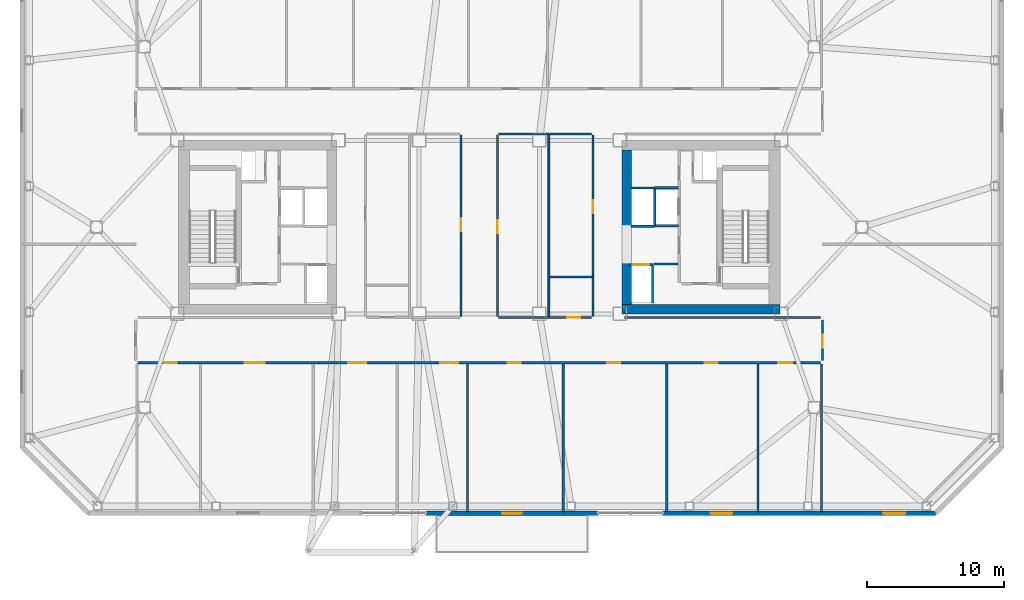
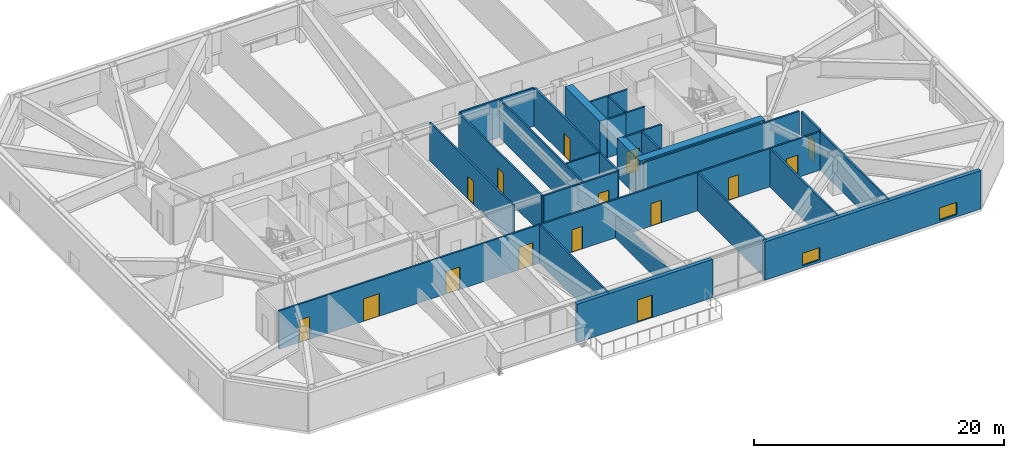
# One storey, part 11 of 18: 28 walls, 15 doors, 2 windows, 17 openings.
"""IFC4 building model written with IfcOpenShell, lengths in metres."""

from ifc_helpers import new_model, si_unit, direction, frame, frame_2d, origin, place, context, subcontext, project, spatial, rectangle, extrude, material, layer, layer_set, type_object, element, fill, save


model = new_model("IFC4")

# Units and contexts
model_context = context("Model", 3, precision=1e-05, world=origin(), true_north=direction((0.0, 1.0)))
body_context = subcontext(model_context, "Body", "Model", "MODEL_VIEW")
ifc_project = project(units=[si_unit("LENGTHUNIT", "METRE"), si_unit("AREAUNIT", "SQUARE_METRE"), si_unit("VOLUMEUNIT", "CUBIC_METRE"), si_unit("PLANEANGLEUNIT", "RADIAN"), si_unit("MASSUNIT", "GRAM", prefix="KILO")], contexts=[model_context])

# Site, building, storey
site_placement = place(None, origin())
site = spatial("IfcSite", under=ifc_project, at=site_placement, CompositionType="ELEMENT")
building_placement = place(site_placement, origin())
building = spatial("IfcBuilding", under=site, at=building_placement, Name="Tavrogorsk Clinical Tower", CompositionType="ELEMENT")
storey_placement = place(building_placement, frame((0.0, 0.0, 152.199951171875)))
storey = spatial("IfcBuildingStorey", under=building, at=storey_placement, Name="L34", CompositionType="ELEMENT", Elevation=152.199951171875)

# Walls
ifc_material_1 = material(Name="Lightweight concrete blockwork B15", Category="masonry")
ifc_layer_1 = layer(ifc_material_1, 0.139892578125)
ifc_layer_set_1 = layer_set([ifc_layer_1], Name="Lightweight concrete blockwork B15")
wall_type_1 = type_object("IfcWallType", Name="PartitionWall_140", PredefinedType="PARTITIONING", material=ifc_layer_set_1)
wall_1_placement = place(storey_placement, frame((5.10009765625, -6.614990234375, 0.0), z_axis=(0.0, 0.0, 1.0), x_axis=(0.0, 1.0, 0.0)))
element("IfcWall", 1, at=wall_1_placement, inside=storey, type_object=wall_type_1, Name="L34 Central Spine Partition 2", PredefinedType="PARTITIONING", context=body_context, shape_type="SweptSolid", body=[
    extrude(rectangle(XDim=13.429931640625, YDim=0.139892578125, at=frame_2d((6.71484375, 0.0))), origin(), (0.0, 0.0, 1.0), 3.739990234375),
])
wall_2_placement = place(storey_placement, frame((5.175048828125, -3.64990234375, 0.0), z_axis=(0.0, 0.0, 1.0), x_axis=(1.0, 0.0, 0.0)))
element("IfcWall", 2, at=wall_2_placement, inside=storey, type_object=wall_type_1, Name="L34 Central Spine Partition 4", PredefinedType="PARTITIONING", context=body_context, shape_type="SweptSolid", body=[
    extrude(rectangle(XDim=3.139892578125, YDim=0.139892578125, at=frame_2d((1.56982421875, 0.0))), origin(), (0.0, 0.0, 1.0), 3.739990234375),
])
ifc_material_2 = material(Name="Lightweight concrete blockwork B15", Category="masonry")
ifc_layer_2 = layer(ifc_material_2, 0.159912109375)
ifc_layer_set_2 = layer_set([ifc_layer_2], Name="Lightweight concrete blockwork B15")
wall_type_2 = type_object("IfcWallType", Name="PartitionWall_160", PredefinedType="PARTITIONING", material=ifc_layer_set_2)
wall_3_placement = place(storey_placement, frame((12.77490234375, -2.699951171875, 0.0), z_axis=(0.0, 0.0, 1.0), x_axis=(1.0, 0.0, 0.0)))
element("IfcWall", 3, at=wall_3_placement, inside=storey, type_object=wall_type_2, Name="L34 Core East Freed Low-Bank North Partition", PredefinedType="PARTITIONING", context=body_context, shape_type="SweptSolid", body=[
    extrude(rectangle(XDim=1.760009765625, YDim=0.159912109375, at=frame_2d((0.8798828125, 0.0))), origin(), (0.0, 0.0, 1.0), 3.739990234375),
])
wall_4_placement = place(storey_placement, frame((10.6298828125, -6.6201171875, 0.0), z_axis=(0.0, 0.0, 1.0), x_axis=(1.0, 0.0, 0.0)))
element("IfcWall", 4, at=wall_4_placement, inside=storey, type_object=wall_type_2, Name="L34 Corridor Partition 08", PredefinedType="PARTITIONING", context=body_context, shape_type="SweptSolid", body=[
    extrude(rectangle(XDim=14.335205078125, YDim=0.159912109375, at=frame_2d((7.16748046875, 0.0))), origin(), (0.0, 0.0, 1.0), 3.739990234375),
])

# Wall, opening, door
wall_5_placement = place(storey_placement, frame((25.1298828125, -6.784912109375, 0.0), z_axis=(0.0, 0.0, 1.0), x_axis=(0.0, -1.0, 0.0)))
wall_5 = element("IfcWall", 5, at=wall_5_placement, inside=storey, type_object=wall_type_2, Name="L34 Corridor Partition 09", PredefinedType="PARTITIONING", context=body_context, shape_type="SweptSolid", body=[
    extrude(rectangle(XDim=2.97998046875, YDim=0.159912109375, at=frame_2d((1.489990234375, 0.0))), origin(), (0.0, 0.0, 1.0), 3.739990234375),
])
opening_1_placement = place(wall_5_placement, frame((1.10009765625, 0.0, 0.0)))
opening_1 = element("IfcOpeningElement", 6, at=opening_1_placement, cuts=wall_5, Name="Opening ID-02", PredefinedType="OPENING", context=body_context, shape_type="SweptSolid", body=[
    extrude(rectangle(XDim=0.949951171875, YDim=2.199951171875, at=frame_2d((0.47509765625, 1.10009765625))), frame((0.0, 0.08984375, 0.0), z_axis=(0.0, -1.0, 0.0), x_axis=(1.0, 0.0, 0.0)), (0.0, 0.0, 1.0), 0.179931640625),
])
ifc_material_3 = material(Name="Laminated timber leaf on aluminium frame", Category="wood")
door_type_1 = type_object("IfcDoorType", Name="InteriorDoor_ID02_950", OperationType="NOTDEFINED", PredefinedType="DOOR", material=ifc_material_3)
door_1_placement = place(opening_1_placement, origin())
door_1 = element("IfcDoor", 7, at=door_1_placement, inside=storey, type_object=door_type_1, Name="L34 E Senior Clinician Suite 1 Door", OperationType="SINGLE_SWING_LEFT", OverallHeight=2.199951171875, OverallWidth=0.949951171875, PredefinedType="DOOR", context=body_context, shape_type="SweptSolid", body=[
    extrude(rectangle(XDim=0.949951171875, YDim=2.199951171875, at=frame_2d((0.47509765625, 1.10009765625))), frame((0.0, 0.02490234375, 0.0), z_axis=(0.0, -1.0, 0.0), x_axis=(1.0, 0.0, 0.0)), (0.0, 0.0, 1.0), 0.050048828125),
])
fill(opening_1, door_1)

# Wall, openings, doors
wall_6_placement = place(storey_placement, frame((24.965087890625, -9.929931640625, 0.0), z_axis=(0.0, 0.0, 1.0), x_axis=(-1.0, 0.0, 0.0)))
wall_6 = element("IfcWall", 8, at=wall_6_placement, inside=storey, type_object=wall_type_2, Name="L34 Corridor Partition 10", PredefinedType="PARTITIONING", context=body_context, shape_type="SweptSolid", body=[
    extrude(rectangle(XDim=49.93017578125, YDim=0.159912109375, at=frame_2d((24.965087890625, 0.0))), origin(), (0.0, 0.0, 1.0), 3.739990234375),
])
opening_2_placement = place(wall_6_placement, frame((47.10595703125, 0.0, 0.0)))
opening_2 = element("IfcOpeningElement", 9, at=opening_2_placement, cuts=wall_6, Name="Opening ID-02", PredefinedType="OPENING", context=body_context, shape_type="SweptSolid", body=[
    extrude(rectangle(XDim=0.949951171875, YDim=2.199951171875, at=frame_2d((0.47509765625, 1.10009765625))), frame((0.0, 0.08984375, 0.0), z_axis=(0.0, -1.0, 0.0), x_axis=(1.0, 0.0, 0.0)), (0.0, 0.0, 1.0), 0.179931640625),
])
opening_3_placement = place(wall_6_placement, frame((40.669921875, 0.0, 0.0)))
opening_3 = element("IfcOpeningElement", 10, at=opening_3_placement, cuts=wall_6, Name="Opening ID-05", PredefinedType="OPENING", context=body_context, shape_type="SweptSolid", body=[
    extrude(rectangle(XDim=1.449951171875, YDim=2.199951171875, at=frame_2d((0.72509765625, 1.10009765625))), frame((0.0, 0.08984375, 0.0), z_axis=(0.0, -1.0, 0.0), x_axis=(1.0, 0.0, 0.0)), (0.0, 0.0, 1.0), 0.179931640625),
])
opening_4_placement = place(wall_6_placement, frame((33.22998046875, 0.0, 0.0)))
opening_4 = element("IfcOpeningElement", 11, at=opening_4_placement, cuts=wall_6, Name="Opening ID-01", PredefinedType="OPENING", context=body_context, shape_type="SweptSolid", body=[
    extrude(rectangle(XDim=1.300048828125, YDim=2.199951171875, at=frame_2d((0.64990234375, 1.10009765625))), frame((0.0, 0.08984375, 0.0), z_axis=(0.0, -1.0, 0.0), x_axis=(1.0, 0.0, 0.0)), (0.0, 0.0, 1.0), 0.179931640625),
])
opening_5_placement = place(wall_6_placement, frame((26.5048828125, 0.0, 0.0)))
opening_5 = element("IfcOpeningElement", 12, at=opening_5_placement, cuts=wall_6, Name="Opening ID-01", PredefinedType="OPENING", context=body_context, shape_type="SweptSolid", body=[
    extrude(rectangle(XDim=1.300048828125, YDim=2.199951171875, at=frame_2d((0.64990234375, 1.10009765625))), frame((0.0, 0.08984375, 0.0), z_axis=(0.0, -1.0, 0.0), x_axis=(1.0, 0.0, 0.0)), (0.0, 0.0, 1.0), 0.179931640625),
])
opening_6_placement = place(wall_6_placement, frame((21.925048828125, 0.0, 0.0)))
opening_6 = element("IfcOpeningElement", 13, at=opening_6_placement, cuts=wall_6, Name="Opening ID-02", PredefinedType="OPENING", context=body_context, shape_type="SweptSolid", body=[
    extrude(rectangle(XDim=0.949951171875, YDim=2.199951171875, at=frame_2d((0.47509765625, 1.10009765625))), frame((0.0, 0.08984375, 0.0), z_axis=(0.0, -1.0, 0.0), x_axis=(1.0, 0.0, 0.0)), (0.0, 0.0, 1.0), 0.179931640625),
])
opening_7_placement = place(wall_6_placement, frame((14.637451171875, 0.0, 0.0)))
opening_7 = element("IfcOpeningElement", 14, at=opening_7_placement, cuts=wall_6, Name="Opening ID-02", PredefinedType="OPENING", context=body_context, shape_type="SweptSolid", body=[
    extrude(rectangle(XDim=0.949951171875, YDim=2.199951171875, at=frame_2d((0.47509765625, 1.10009765625))), frame((0.0, 0.08984375, 0.0), z_axis=(0.0, -1.0, 0.0), x_axis=(1.0, 0.0, 0.0)), (0.0, 0.0, 1.0), 0.179931640625),
])
opening_8_placement = place(wall_6_placement, frame((7.512451171875, 0.0, 0.0)))
opening_8 = element("IfcOpeningElement", 15, at=opening_8_placement, cuts=wall_6, Name="Opening ID-02", PredefinedType="OPENING", context=body_context, shape_type="SweptSolid", body=[
    extrude(rectangle(XDim=0.949951171875, YDim=2.199951171875, at=frame_2d((0.47509765625, 1.10009765625))), frame((0.0, 0.08984375, 0.0), z_axis=(0.0, -1.0, 0.0), x_axis=(1.0, 0.0, 0.0)), (0.0, 0.0, 1.0), 0.179931640625),
])
opening_9_placement = place(wall_6_placement, frame((2.044189453125, 0.0, 0.0)))
opening_9 = element("IfcOpeningElement", 16, at=opening_9_placement, cuts=wall_6, Name="Opening ID-04", PredefinedType="OPENING", context=body_context, shape_type="SweptSolid", body=[
    extrude(rectangle(XDim=1.050048828125, YDim=2.199951171875, at=frame_2d((0.52490234375, 1.10009765625))), frame((0.0, 0.08984375, 0.0), z_axis=(0.0, -1.0, 0.0), x_axis=(1.0, 0.0, 0.0)), (0.0, 0.0, 1.0), 0.179931640625),
])
ifc_material_4 = material(Name="Antibacterial HPL consultation door on aluminium frame", Category="aluminium")
door_type_2 = type_object("IfcDoorType", Name="ConsultDoor_ID04_1050", OperationType="NOTDEFINED", PredefinedType="DOOR", material=ifc_material_4)
door_2_placement = place(opening_9_placement, origin())
door_2 = element("IfcDoor", 17, at=door_2_placement, inside=storey, type_object=door_type_2, Name="L34 South Staff Rest & Nourishment Lounge 06 Door", OperationType="SINGLE_SWING_RIGHT", OverallHeight=2.199951171875, OverallWidth=1.050048828125, PredefinedType="DOOR", context=body_context, shape_type="SweptSolid", body=[
    extrude(rectangle(XDim=1.050048828125, YDim=2.199951171875, at=frame_2d((0.52490234375, 1.10009765625))), frame((0.0, 0.02490234375, 0.0), z_axis=(0.0, -1.0, 0.0), x_axis=(1.0, 0.0, 0.0)), (0.0, 0.0, 1.0), 0.050048828125),
])
fill(opening_9, door_2)
ifc_material_5 = material(Name="Antibacterial HPL bariatric ward double door")
door_type_3 = type_object("IfcDoorType", Name="DoubleWardDoor_ID05_1450", OperationType="DOUBLE_SWING_LEFT", PredefinedType="DOOR", material=ifc_material_5)
door_3_placement = place(opening_3_placement, origin())
door_3 = element("IfcDoor", 18, at=door_3_placement, inside=storey, type_object=door_type_3, Name="L34 South Bariatric Observation Ward 02A Door", OperationType="DOUBLE_SWING_LEFT", OverallHeight=2.199951171875, OverallWidth=1.449951171875, PredefinedType="DOOR", context=body_context, shape_type="SweptSolid", body=[
    extrude(rectangle(XDim=1.449951171875, YDim=2.199951171875, at=frame_2d((0.72509765625, 1.10009765625))), frame((0.0, 0.02490234375, 0.0), z_axis=(0.0, -1.0, 0.0), x_axis=(1.0, 0.0, 0.0)), (0.0, 0.0, 1.0), 0.050048828125),
])
fill(opening_3, door_3)
door_4_placement = place(opening_2_placement, origin())
door_4 = element("IfcDoor", 19, at=door_4_placement, inside=storey, type_object=door_type_1, Name="L34 South Staff Rest & Nourishment Lounge 01 Door", OperationType="SINGLE_SWING_LEFT", OverallHeight=2.199951171875, OverallWidth=0.949951171875, PredefinedType="DOOR", context=body_context, shape_type="SweptSolid", body=[
    extrude(rectangle(XDim=0.949951171875, YDim=2.199951171875, at=frame_2d((0.47509765625, 1.10009765625))), frame((0.0, 0.02490234375, 0.0), z_axis=(0.0, -1.0, 0.0), x_axis=(1.0, 0.0, 0.0)), (0.0, 0.0, 1.0), 0.050048828125),
])
fill(opening_2, door_4)
door_5_placement = place(opening_6_placement, origin())
door_5 = element("IfcDoor", 20, at=door_5_placement, inside=storey, type_object=door_type_1, Name="L34 Terrace Recuperation Day Room & Lounge Door", OperationType="SINGLE_SWING_LEFT", OverallHeight=2.199951171875, OverallWidth=0.949951171875, PredefinedType="DOOR", context=body_context, shape_type="SweptSolid", body=[
    extrude(rectangle(XDim=0.949951171875, YDim=2.199951171875, at=frame_2d((0.47509765625, 1.10009765625))), frame((0.0, 0.02490234375, 0.0), z_axis=(0.0, -1.0, 0.0), x_axis=(1.0, 0.0, 0.0)), (0.0, 0.0, 1.0), 0.050048828125),
])
fill(opening_6, door_5)
door_6_placement = place(opening_7_placement, origin())
door_6 = element("IfcDoor", 21, at=door_6_placement, inside=storey, type_object=door_type_1, Name="L34 South Clinical Case Seminar Room 05A Door", OperationType="SINGLE_SWING_RIGHT", OverallHeight=2.199951171875, OverallWidth=0.949951171875, PredefinedType="DOOR", context=body_context, shape_type="SweptSolid", body=[
    extrude(rectangle(XDim=0.949951171875, YDim=2.199951171875, at=frame_2d((0.47509765625, 1.10009765625))), frame((0.0, 0.02490234375, 0.0), z_axis=(0.0, -1.0, 0.0), x_axis=(1.0, 0.0, 0.0)), (0.0, 0.0, 1.0), 0.050048828125),
])
fill(opening_7, door_6)
door_7_placement = place(opening_8_placement, origin())
door_7 = element("IfcDoor", 22, at=door_7_placement, inside=storey, type_object=door_type_1, Name="L34 South Cardiology Diagnostics Room 05B Door", OperationType="SINGLE_SWING_LEFT", OverallHeight=2.199951171875, OverallWidth=0.949951171875, PredefinedType="DOOR", context=body_context, shape_type="SweptSolid", body=[
    extrude(rectangle(XDim=0.949951171875, YDim=2.199951171875, at=frame_2d((0.47509765625, 1.10009765625))), frame((0.0, 0.02490234375, 0.0), z_axis=(0.0, -1.0, 0.0), x_axis=(1.0, 0.0, 0.0)), (0.0, 0.0, 1.0), 0.050048828125),
])
fill(opening_8, door_7)
ifc_material_6 = material(Name="Antibacterial HPL medical leaf on aluminium frame", Category="aluminium")
door_type_4 = type_object("IfcDoorType", Name="WardBedDoor_ID01_1300", OperationType="NOTDEFINED", PredefinedType="DOOR", material=ifc_material_6)
door_8_placement = place(opening_4_placement, origin())
door_8 = element("IfcDoor", 23, at=door_8_placement, inside=storey, type_object=door_type_4, Name="L34 South Acute Medical Ward 02B Door", OperationType="SINGLE_SWING_LEFT", OverallHeight=2.199951171875, OverallWidth=1.300048828125, PredefinedType="DOOR", context=body_context, shape_type="SweptSolid", body=[
    extrude(rectangle(XDim=1.300048828125, YDim=2.199951171875, at=frame_2d((0.64990234375, 1.10009765625))), frame((0.0, 0.02490234375, 0.0), z_axis=(0.0, -1.0, 0.0), x_axis=(1.0, 0.0, 0.0)), (0.0, 0.0, 1.0), 0.050048828125),
])
fill(opening_4, door_8)
door_9_placement = place(opening_5_placement, origin())
door_9 = element("IfcDoor", 24, at=door_9_placement, inside=storey, type_object=door_type_4, Name="L34 South Surgical Step-Down Ward 03 Door", OperationType="SINGLE_SWING_RIGHT", OverallHeight=2.199951171875, OverallWidth=1.300048828125, PredefinedType="DOOR", context=body_context, shape_type="SweptSolid", body=[
    extrude(rectangle(XDim=1.300048828125, YDim=2.199951171875, at=frame_2d((0.64990234375, 1.10009765625))), frame((0.0, 0.02490234375, 0.0), z_axis=(0.0, -1.0, 0.0), x_axis=(1.0, 0.0, 0.0)), (0.0, 0.0, 1.0), 0.050048828125),
])
fill(opening_5, door_9)

# Wall
wall_7_placement = place(storey_placement, frame((8.235107421875, 6.820068359375, 0.0), z_axis=(0.0, 0.0, 1.0), x_axis=(-1.0, 0.0, 0.0)))
element("IfcWall", 25, at=wall_7_placement, inside=storey, type_object=wall_type_2, Name="L34 Corridor Partition 11", PredefinedType="PARTITIONING", context=body_context, shape_type="SweptSolid", body=[
    extrude(rectangle(XDim=6.820068359375, YDim=0.159912109375, at=frame_2d((3.41015625, 0.0))), origin(), (0.0, 0.0, 1.0), 3.739990234375),
])

# Wall, opening, door
wall_8_placement = place(storey_placement, frame((1.330078125, 6.735107421875, 0.0), z_axis=(0.0, 0.0, 1.0), x_axis=(0.0, -1.0, 0.0)))
wall_8 = element("IfcWall", 26, at=wall_8_placement, inside=storey, type_object=wall_type_2, Name="L34 Corridor Partition 12", PredefinedType="PARTITIONING", context=body_context, shape_type="SweptSolid", body=[
    extrude(rectangle(XDim=13.27001953125, YDim=0.159912109375, at=frame_2d((6.635009765625, 0.0))), origin(), (0.0, 0.0, 1.0), 3.739990234375),
])
opening_10_placement = place(wall_8_placement, frame((6.2451171875, 0.0, 0.0)))
opening_10 = element("IfcOpeningElement", 27, at=opening_10_placement, cuts=wall_8, Name="Opening ID-02", PredefinedType="OPENING", context=body_context, shape_type="SweptSolid", body=[
    extrude(rectangle(XDim=0.949951171875, YDim=2.199951171875, at=frame_2d((0.47509765625, 1.10009765625))), frame((0.0, 0.08984375, 0.0), z_axis=(0.0, -1.0, 0.0), x_axis=(1.0, 0.0, 0.0)), (0.0, 0.0, 1.0), 0.179931640625),
])
door_10_placement = place(opening_10_placement, origin())
door_10 = element("IfcDoor", 28, at=door_10_placement, inside=storey, type_object=door_type_1, Name="L34 Clean Medication Preparation Room Door", OperationType="SINGLE_SWING_RIGHT", OverallHeight=2.199951171875, OverallWidth=0.949951171875, PredefinedType="DOOR", context=body_context, shape_type="SweptSolid", body=[
    extrude(rectangle(XDim=0.949951171875, YDim=2.199951171875, at=frame_2d((0.47509765625, 1.10009765625))), frame((0.0, 0.02490234375, 0.0), z_axis=(0.0, -1.0, 0.0), x_axis=(1.0, 0.0, 0.0)), (0.0, 0.0, 1.0), 0.050048828125),
])
fill(opening_10, door_10)

wall_9_placement = place(storey_placement, frame((1.4150390625, -6.6201171875, 0.0), z_axis=(0.0, 0.0, 1.0), x_axis=(1.0, 0.0, 0.0)))
wall_9 = element("IfcWall", 29, at=wall_9_placement, inside=storey, type_object=wall_type_2, Name="L34 Corridor Partition 13", PredefinedType="PARTITIONING", context=body_context, shape_type="SweptSolid", body=[
    extrude(rectangle(XDim=6.820068359375, YDim=0.159912109375, at=frame_2d((3.41015625, 0.0))), origin(), (0.0, 0.0, 1.0), 3.739990234375),
])
opening_11_placement = place(wall_9_placement, frame((5.010986328125, 0.0, 0.0)))
opening_11 = element("IfcOpeningElement", 30, at=opening_11_placement, cuts=wall_9, Name="Opening ID-02", PredefinedType="OPENING", context=body_context, shape_type="SweptSolid", body=[
    extrude(rectangle(XDim=0.949951171875, YDim=2.199951171875, at=frame_2d((0.47509765625, 1.10009765625))), frame((0.0, 0.08984375, 0.0), z_axis=(0.0, -1.0, 0.0), x_axis=(1.0, 0.0, 0.0)), (0.0, 0.0, 1.0), 0.179931640625),
])
door_11_placement = place(opening_11_placement, origin())
door_11 = element("IfcDoor", 31, at=door_11_placement, inside=storey, type_object=door_type_1, Name="L34 Staff & Visitor Accessible WC Door", OperationType="SINGLE_SWING_LEFT", OverallHeight=2.199951171875, OverallWidth=0.949951171875, PredefinedType="DOOR", context=body_context, shape_type="SweptSolid", body=[
    extrude(rectangle(XDim=0.949951171875, YDim=2.199951171875, at=frame_2d((0.47509765625, 1.10009765625))), frame((0.0, 0.02490234375, 0.0), z_axis=(0.0, -1.0, 0.0), x_axis=(1.0, 0.0, 0.0)), (0.0, 0.0, 1.0), 0.050048828125),
])
fill(opening_11, door_11)

wall_10_placement = place(storey_placement, frame((8.320068359375, -6.534912109375, 0.0), z_axis=(0.0, 0.0, 1.0), x_axis=(0.0, 1.0, 0.0)))
wall_10 = element("IfcWall", 32, at=wall_10_placement, inside=storey, type_object=wall_type_2, Name="L34 Corridor Partition 14", PredefinedType="PARTITIONING", context=body_context, shape_type="SweptSolid", body=[
    extrude(rectangle(XDim=13.27001953125, YDim=0.159912109375, at=frame_2d((6.635009765625, 0.0))), origin(), (0.0, 0.0, 1.0), 3.739990234375),
])
opening_12_placement = place(wall_10_placement, frame((7.535888671875, 0.0, 0.0)))
opening_12 = element("IfcOpeningElement", 33, at=opening_12_placement, cuts=wall_10, Name="Opening ID-02", PredefinedType="OPENING", context=body_context, shape_type="SweptSolid", body=[
    extrude(rectangle(XDim=0.949951171875, YDim=2.199951171875, at=frame_2d((0.47509765625, 1.10009765625))), frame((0.0, 0.08984375, 0.0), z_axis=(0.0, -1.0, 0.0), x_axis=(1.0, 0.0, 0.0)), (0.0, 0.0, 1.0), 0.179931640625),
])
door_12_placement = place(opening_12_placement, origin())
door_12 = element("IfcDoor", 34, at=door_12_placement, inside=storey, type_object=door_type_1, Name="L34 Resident Clinician Study Door", OperationType="SINGLE_SWING_RIGHT", OverallHeight=2.199951171875, OverallWidth=0.949951171875, PredefinedType="DOOR", context=body_context, shape_type="SweptSolid", body=[
    extrude(rectangle(XDim=0.949951171875, YDim=2.199951171875, at=frame_2d((0.47509765625, 1.10009765625))), frame((0.0, 0.02490234375, 0.0), z_axis=(0.0, -1.0, 0.0), x_axis=(1.0, 0.0, 0.0)), (0.0, 0.0, 1.0), 0.050048828125),
])
fill(opening_12, door_12)

wall_11_placement = place(storey_placement, frame((-1.330078125, -6.534912109375, 0.0), z_axis=(0.0, 0.0, 1.0), x_axis=(0.0, 1.0, 0.0)))
wall_11 = element("IfcWall", 35, at=wall_11_placement, inside=storey, type_object=wall_type_2, Name="L34 Corridor Partition 15", PredefinedType="PARTITIONING", context=body_context, shape_type="SweptSolid", body=[
    extrude(rectangle(XDim=13.27001953125, YDim=0.159912109375, at=frame_2d((6.635009765625, 0.0))), origin(), (0.0, 0.0, 1.0), 3.739990234375),
])
opening_13_placement = place(wall_11_placement, frame((6.2451171875, 0.0, 0.0)))
opening_13 = element("IfcOpeningElement", 36, at=opening_13_placement, cuts=wall_11, Name="Opening ID-02", PredefinedType="OPENING", context=body_context, shape_type="SweptSolid", body=[
    extrude(rectangle(XDim=0.949951171875, YDim=2.199951171875, at=frame_2d((0.47509765625, 1.10009765625))), frame((0.0, 0.08984375, 0.0), z_axis=(0.0, -1.0, 0.0), x_axis=(1.0, 0.0, 0.0)), (0.0, 0.0, 1.0), 0.179931640625),
])
door_13_placement = place(opening_13_placement, origin())
door_13 = element("IfcDoor", 37, at=door_13_placement, inside=storey, type_object=door_type_1, Name="L34 Nurses' Station & Telemetry Hub Door", OperationType="SINGLE_SWING_LEFT", OverallHeight=2.199951171875, OverallWidth=0.949951171875, PredefinedType="DOOR", context=body_context, shape_type="SweptSolid", body=[
    extrude(rectangle(XDim=0.949951171875, YDim=2.199951171875, at=frame_2d((0.47509765625, 1.10009765625))), frame((0.0, 0.02490234375, 0.0), z_axis=(0.0, -1.0, 0.0), x_axis=(1.0, 0.0, 0.0)), (0.0, 0.0, 1.0), 0.050048828125),
])
fill(opening_13, door_13)

# Walls
for number, where, z_axis, x_axis, name in (
    (38, (25.050048828125, -20.860107421875, 0.0), (0.0, 0.0, 1.0), (0.0, 1.0, 0.0), "L34 SE Wing Closure Partition"),
    (39, (-0.85009765625, -20.860107421875, 0.0), (0.0, 0.0, 1.0), (0.0, 1.0, 0.0), "L34 South Room Partition 3"),
):
    element("IfcWall", number, at=place(storey_placement, frame(where, z_axis=z_axis, x_axis=x_axis)), inside=storey, type_object=wall_type_2, Name=name, PredefinedType="PARTITIONING", context=body_context, shape_type="SweptSolid", body=[
        extrude(rectangle(XDim=10.84521484375, YDim=0.159912109375, at=frame_2d((5.422607421875, 0.0))), origin(), (0.0, 0.0, 1.0), 3.739990234375),
    ])
wall_12_placement = place(storey_placement, frame((6.14990234375, -20.860107421875, 0.0), z_axis=(0.0, 0.0, 1.0), x_axis=(0.0, 1.0, 0.0)))
element("IfcWall", 40, at=wall_12_placement, inside=storey, type_object=wall_type_2, Name="L34 South Room Partition 4", PredefinedType="PARTITIONING", context=body_context, shape_type="SweptSolid", body=[
    extrude(rectangle(XDim=10.84521484375, YDim=0.159912109375, at=frame_2d((5.422607421875, 0.0))), origin(), (0.0, 0.0, 1.0), 2.135009765625),
])
for number, where, z_axis, x_axis, name in (
    (41, (20.39990234375, -20.860107421875, 0.0), (0.0, 0.0, 1.0), (0.0, 1.0, 0.0), "L34 South Room Partition 5"),
    (42, (13.72509765625, -20.860107421875, 0.0), (0.0, 0.0, 1.0), (0.0, 1.0, 0.0), "L34 South Sub-Partition 5"),
):
    element("IfcWall", number, at=place(storey_placement, frame(where, z_axis=z_axis, x_axis=x_axis)), inside=storey, type_object=wall_type_2, Name=name, PredefinedType="PARTITIONING", context=body_context, shape_type="SweptSolid", body=[
        extrude(rectangle(XDim=10.84521484375, YDim=0.159912109375, at=frame_2d((5.422607421875, 0.0))), origin(), (0.0, 0.0, 1.0), 3.739990234375),
    ])

# Wall, opening, door
ifc_material_7 = material(Name="Precast concrete B45 with limestone cladding", Category="masonry")
ifc_layer_3 = layer(ifc_material_7, 0.340087890625)
ifc_layer_set_3 = layer_set([ifc_layer_3], Name="Precast concrete B45 with limestone cladding")
wall_type_3 = type_object("IfcWallType", Name="PrecastLimestoneWall_340", PredefinedType="STANDARD", material=ifc_layer_set_3)
wall_13_placement = place(storey_placement, frame((-3.86279296875, -20.929931640625, 0.0), z_axis=(0.0, 0.0, 1.0), x_axis=(1.0, 0.0, 0.0)))
wall_13 = element("IfcWall", 43, at=wall_13_placement, inside=storey, type_object=wall_type_3, Name="L34 S Limestone Facade Wall 2", PredefinedType="STANDARD", context=body_context, shape_type="SweptSolid", body=[
    extrude(rectangle(XDim=12.525634765625, YDim=0.340087890625, at=frame_2d((6.2626953125, 0.0))), origin(), (0.0, 0.0, 1.0), 3.739990234375),
])
opening_14_placement = place(wall_13_placement, frame((5.56298828125, 0.0, 0.0)))
opening_14 = element("IfcOpeningElement", 44, at=opening_14_placement, cuts=wall_13, Name="Opening ED-03", PredefinedType="OPENING", context=body_context, shape_type="SweptSolid", body=[
    extrude(rectangle(XDim=1.39990234375, YDim=2.199951171875, at=frame_2d((0.699951171875, 1.10009765625))), frame((0.0, 0.179931640625, 0.0), z_axis=(0.0, -1.0, 0.0), x_axis=(1.0, 0.0, 0.0)), (0.0, 0.0, 1.0), 0.360107421875),
])
ifc_material_8 = material(Name="Thermally broken aluminium and laminated safety glass", Category="aluminium")
door_type_5 = type_object("IfcDoorType", Name="TerraceGlassDoor_ED03_1400", OperationType="DOUBLE_SWING_LEFT", PredefinedType="DOOR", material=ifc_material_8)
door_14_placement = place(opening_14_placement, origin())
door_14 = element("IfcDoor", 45, at=door_14_placement, inside=storey, type_object=door_type_5, Name="L34 Spiralling Recuperation Terrace Door ED-03", OperationType="DOUBLE_SWING_LEFT", OverallHeight=2.199951171875, OverallWidth=1.39990234375, PredefinedType="DOOR", context=body_context, shape_type="SweptSolid", body=[
    extrude(rectangle(XDim=1.39990234375, YDim=2.199951171875, at=frame_2d((0.699951171875, 1.10009765625))), frame((0.0, 0.02490234375, 0.0), z_axis=(0.0, -1.0, 0.0), x_axis=(1.0, 0.0, 0.0)), (0.0, 0.0, 1.0), 0.050048828125),
])
fill(opening_14, door_14)

# Wall, openings, windows
wall_14_placement = place(storey_placement, frame((13.462890625, -20.929931640625, 0.0), z_axis=(0.0, 0.0, 1.0), x_axis=(1.0, 0.0, 0.0)))
wall_14 = element("IfcWall", 46, at=wall_14_placement, inside=storey, type_object=wall_type_3, Name="L34 S Limestone Facade Wall 3", PredefinedType="STANDARD", context=body_context, shape_type="SweptSolid", body=[
    extrude(rectangle(XDim=19.93701171875, YDim=0.340087890625, at=frame_2d((9.968505859375, 0.0))), origin(), (0.0, 0.0, 1.0), 3.739990234375),
])
opening_15_placement = place(wall_14_placement, frame((3.470458984375, 0.0, 0.219970703125)))
opening_15 = element("IfcOpeningElement", 47, at=opening_15_placement, cuts=wall_14, Name="Opening WN-09", PredefinedType="OPENING", context=body_context, shape_type="SweptSolid", body=[
    extrude(rectangle(XDim=1.60009765625, YDim=1.199951171875, at=frame_2d((0.800048828125, 0.60009765625))), frame((0.0, 0.179931640625, 0.0), z_axis=(0.0, -1.0, 0.0), x_axis=(1.0, 0.0, 0.0)), (0.0, 0.0, 1.0), 0.360107421875),
])
opening_16_placement = place(wall_14_placement, frame((16.1181640625, 0.0, 0.219970703125)))
opening_16 = element("IfcOpeningElement", 48, at=opening_16_placement, cuts=wall_14, Name="Opening WN-09", PredefinedType="OPENING", context=body_context, shape_type="SweptSolid", body=[
    extrude(rectangle(XDim=1.60009765625, YDim=1.199951171875, at=frame_2d((0.800048828125, 0.60009765625))), frame((0.0, 0.179931640625, 0.0), z_axis=(0.0, -1.0, 0.0), x_axis=(1.0, 0.0, 0.0)), (0.0, 0.0, 1.0), 0.360107421875),
])
ifc_material_9 = material(Name="Thermally broken aluminium frame and triple IGU", Category="aluminium")
window_type = type_object("IfcWindowType", Name="LowHeadTransWin_1600x1200", PartitioningType="DOUBLE_PANEL_VERTICAL", PredefinedType="WINDOW", material=ifc_material_9)
window_1_placement = place(opening_15_placement, origin())
window_1 = element("IfcWindow", 49, at=window_1_placement, inside=storey, type_object=window_type, Name="L34 S Chicago Window 07", OverallHeight=1.199951171875, OverallWidth=1.60009765625, PartitioningType="SINGLE_PANEL", PredefinedType="WINDOW", context=body_context, shape_type="SweptSolid", body=[
    extrude(rectangle(XDim=1.60009765625, YDim=1.199951171875, at=frame_2d((0.800048828125, 0.60009765625))), frame((0.0, 0.030029296875, 0.0), z_axis=(0.0, -1.0, 0.0), x_axis=(1.0, 0.0, 0.0)), (0.0, 0.0, 1.0), 0.06005859375),
])
fill(opening_15, window_1)
window_2_placement = place(opening_16_placement, origin())
window_2 = element("IfcWindow", 50, at=window_2_placement, inside=storey, type_object=window_type, Name="L34 S Chicago Window 10", OverallHeight=1.199951171875, OverallWidth=1.60009765625, PartitioningType="SINGLE_PANEL", PredefinedType="WINDOW", context=body_context, shape_type="SweptSolid", body=[
    extrude(rectangle(XDim=1.60009765625, YDim=1.199951171875, at=frame_2d((0.800048828125, 0.60009765625))), frame((0.0, 0.030029296875, 0.0), z_axis=(0.0, -1.0, 0.0), x_axis=(1.0, 0.0, 0.0)), (0.0, 0.0, 1.0), 0.06005859375),
])
fill(opening_16, window_2)

# Walls
ifc_material_10 = material(Name="Lightweight concrete blockwork B25", Category="masonry")
ifc_layer_4 = layer(ifc_material_10, 0.159912109375)
ifc_layer_set_4 = layer_set([ifc_layer_4], Name="Lightweight concrete blockwork B25")
wall_type_4 = type_object("IfcWallType", Name="ShaftWall_160", PredefinedType="PARTITIONING", material=ifc_layer_set_4)
for number, where, z_axis, x_axis, name in (
    (51, (12.840087890625, 0.10009765625, 0.0), (0.0, 0.0, 1.0), (1.0, 0.0, 0.0), "L34 FFL-E Shaft South Wall"),
    (52, (12.840087890625, 2.8798828125, 0.0), (0.0, 0.0, 1.0), (1.0, 0.0, 0.0), "L34 FFL-E Shaft North Wall"),
):
    element("IfcWall", number, at=place(storey_placement, frame(where, z_axis=z_axis, x_axis=x_axis)), inside=storey, type_object=wall_type_4, Name=name, PredefinedType="PARTITIONING", context=body_context, shape_type="SweptSolid", body=[
        extrude(rectangle(XDim=1.760009765625, YDim=0.159912109375, at=frame_2d((0.8798828125, 0.0))), origin(), (0.0, 0.0, 1.0), 3.739990234375),
    ])
wall_15_placement = place(storey_placement, frame((12.840087890625, 0.179931640625, 0.0), z_axis=(0.0, 0.0, 1.0), x_axis=(0.0, 1.0, 0.0)))
element("IfcWall", 53, at=wall_15_placement, inside=storey, type_object=wall_type_4, Name="L34 FFL-E Shaft Back Wall", PredefinedType="PARTITIONING", context=body_context, shape_type="SweptSolid", body=[
    extrude(rectangle(XDim=2.6201171875, YDim=0.159912109375, at=frame_2d((1.31005859375, 0.0))), origin(), (0.0, 0.0, 1.0), 3.739990234375),
])

# Wall, opening, door
wall_16_placement = place(storey_placement, frame((10.969970703125, -2.75, 0.0), z_axis=(0.0, 0.0, 1.0), x_axis=(1.0, 0.0, 0.0)))
wall_16 = element("IfcWall", 54, at=wall_16_placement, inside=storey, type_object=wall_type_4, Name="L34 LP-M2 Lift Shaft Portal Wall", PredefinedType="PARTITIONING", context=body_context, shape_type="SweptSolid", body=[
    extrude(rectangle(XDim=1.760009765625, YDim=0.159912109375, at=frame_2d((0.8798828125, 0.0))), origin(), (0.0, 0.0, 1.0), 3.739990234375),
])
opening_17_placement = place(wall_16_placement, frame((0.280029296875, 0.0, 0.0)))
opening_17 = element("IfcOpeningElement", 55, at=opening_17_placement, cuts=wall_16, Name="Opening LD", PredefinedType="OPENING", context=body_context, shape_type="SweptSolid", body=[
    extrude(rectangle(XDim=1.199951171875, YDim=2.199951171875, at=frame_2d((0.60009765625, 1.10009765625))), frame((0.0, 0.08984375, 0.0), z_axis=(0.0, -1.0, 0.0), x_axis=(1.0, 0.0, 0.0)), (0.0, 0.0, 1.0), 0.179931640625),
])
ifc_material_11 = material(Name="Brushed stainless steel AISI 304 sliding doors", Category="steel")
door_type_6 = type_object("IfcDoorType", Name="LiftLandingDoor_LD_1200", OperationType="SLIDING_TO_LEFT", PredefinedType="DOOR", material=ifc_material_11)
door_15_placement = place(opening_17_placement, origin())
door_15 = element("IfcDoor", 56, at=door_15_placement, inside=storey, type_object=door_type_6, Name="L34 LP-M2 Sliding Lift Landing Door", OperationType="SLIDING_TO_LEFT", OverallHeight=2.199951171875, OverallWidth=1.199951171875, PredefinedType="DOOR", context=body_context, shape_type="SweptSolid", body=[
    extrude(rectangle(XDim=1.199951171875, YDim=2.199951171875, at=frame_2d((0.60009765625, 1.10009765625))), frame((0.0, 0.02490234375, 0.0), z_axis=(0.0, -1.0, 0.0), x_axis=(1.0, 0.0, 0.0)), (0.0, 0.0, 1.0), 0.050048828125),
])
fill(opening_17, door_15)

# Walls
for number, where, z_axis, x_axis, name in (
    (57, (11.10009765625, 0.06005859375, 0.0), (0.0, 0.0, 1.0), (1.0, 0.0, 0.0), "L34 LP-H2 High-Zone Lift Portal Wall"),
    (58, (11.10009765625, 2.860107421875, 0.0), (0.0, 0.0, 1.0), (1.0, 0.0, 0.0), "L34 LP-H2 High-Zone Lift Rear Wall"),
):
    element("IfcWall", number, at=place(storey_placement, frame(where, z_axis=z_axis, x_axis=x_axis)), inside=storey, type_object=wall_type_4, Name=name, PredefinedType="PARTITIONING", context=body_context, shape_type="SweptSolid", body=[
        extrude(rectangle(XDim=1.719970703125, YDim=0.159912109375, at=frame_2d((0.85986328125, 0.0))), origin(), (0.0, 0.0, 1.0), 3.739990234375),
    ])
wall_17_placement = place(storey_placement, frame((12.68994140625, -5.56005859375, 0.0), z_axis=(0.0, 0.0, 1.0), x_axis=(0.0, 1.0, 0.0)))
element("IfcWall", 59, at=wall_17_placement, inside=storey, type_object=wall_type_4, Name="L34 Core East Freed Low-Bank Shaft Divider", PredefinedType="PARTITIONING", context=body_context, shape_type="SweptSolid", body=[
    extrude(rectangle(XDim=2.775146484375, YDim=0.159912109375, at=frame_2d((1.3876953125, 0.0))), origin(), (0.0, 0.0, 1.0), 3.739990234375),
])
ifc_material_12 = material(Name="Concrete B80", Category="concrete")
ifc_layer_5 = layer(ifc_material_12, 0.699951171875)
ifc_layer_set_5 = layer_set([ifc_layer_5], Name="Concrete B80")
wall_type_5 = type_object("IfcWallType", Name="ShearWall_700", PredefinedType="SHEAR", material=ifc_layer_set_5)
wall_18_placement = place(storey_placement, frame((10.449951171875, -6.0, 0.0), z_axis=(0.0, 0.0, 1.0), x_axis=(1.0, 0.0, 0.0)))
element("IfcWall", 60, at=wall_18_placement, inside=storey, type_object=wall_type_5, Name="L34 Core East South Shear Wall", PredefinedType="SHEAR", context=body_context, shape_type="SweptSolid", body=[
    extrude(rectangle(XDim=11.550048828125, YDim=0.699951171875, at=frame_2d((5.77490234375, 0.0))), origin(), (0.0, 0.0, 1.0), 3.739990234375),
])
wall_19_placement = place(storey_placement, frame((10.800048828125, -5.64990234375, 0.0), z_axis=(0.0, 0.0, 1.0), x_axis=(0.0, 1.0, 0.0)))
element("IfcWall", 61, at=wall_19_placement, inside=storey, type_object=wall_type_5, Name="L34 Core East Inner South Pier", PredefinedType="SHEAR", context=body_context, shape_type="SweptSolid", body=[
    extrude(rectangle(XDim=3.0, YDim=0.699951171875, at=frame_2d((1.5, 0.0))), origin(), (0.0, 0.0, 1.0), 3.739990234375),
])
wall_20_placement = place(storey_placement, frame((10.800048828125, 0.050048828125, 0.0), z_axis=(0.0, 0.0, 1.0), x_axis=(0.0, 1.0, 0.0)))
element("IfcWall", 62, at=wall_20_placement, inside=storey, type_object=wall_type_5, Name="L34 Core East Inner North Pier", PredefinedType="SHEAR", context=body_context, shape_type="SweptSolid", body=[
    extrude(rectangle(XDim=5.599853515625, YDim=0.699951171875, at=frame_2d((2.7998046875, 0.0))), origin(), (0.0, 0.0, 1.0), 3.739990234375),
])

save(model, "model.ifc")
